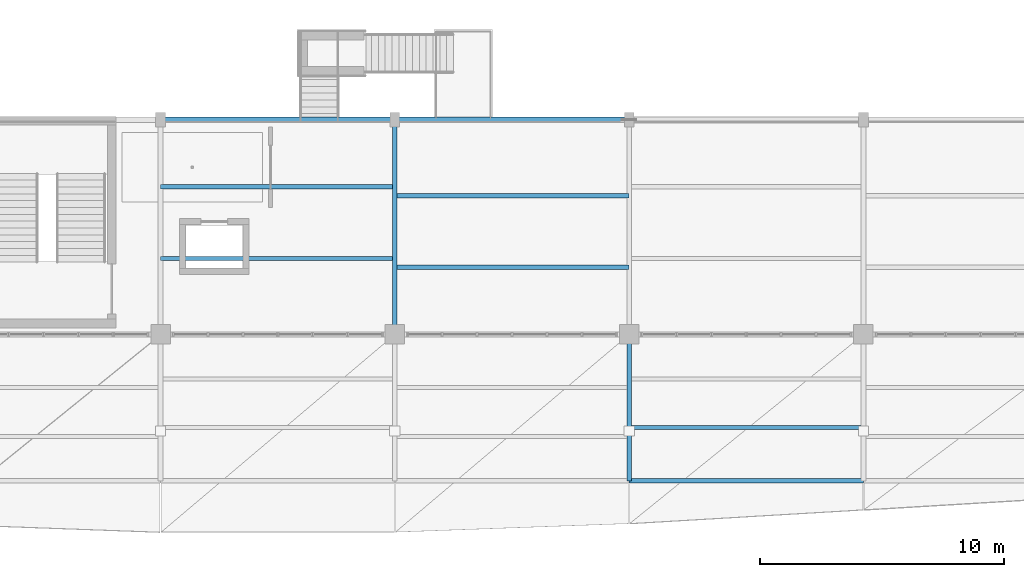
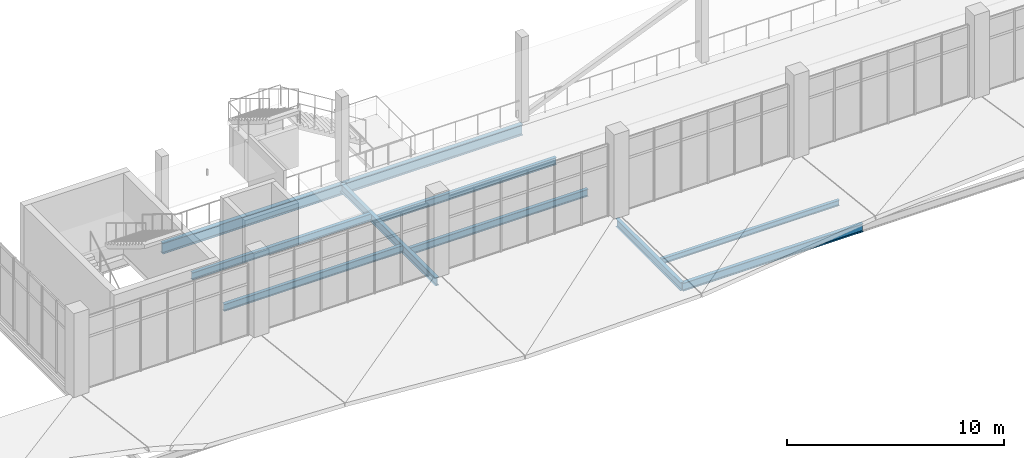
# One storey, part 48 of 157: 10 beams.
"""IFC4 building model written with IfcOpenShell, lengths in metres."""

from ifc_helpers import new_model, si_unit, direction, frame, origin, origin_2d, place, context, subcontext, project, spatial, i_section, extrude, material, material_profile, profile_set, type_object, element, save


model = new_model("IFC4")

# Units and contexts
model_context = context("Model", 3, precision=1e-05, world=origin(), true_north=direction((0.0, 1.0)))
body_context = subcontext(model_context, "Body", "Model", "MODEL_VIEW")
ifc_project = project(units=[si_unit("LENGTHUNIT", "METRE"), si_unit("AREAUNIT", "SQUARE_METRE"), si_unit("VOLUMEUNIT", "CUBIC_METRE"), si_unit("PLANEANGLEUNIT", "RADIAN"), si_unit("MASSUNIT", "GRAM", prefix="KILO")], contexts=[model_context])

# Site, building, storey
site_placement = place(None, origin())
site = spatial("IfcSite", under=ifc_project, at=site_placement, CompositionType="ELEMENT")
building_placement = place(site_placement, origin())
building = spatial("IfcBuilding", under=site, at=building_placement, Name="Chalmorin Arch Market", CompositionType="ELEMENT")
storey_placement = place(building_placement, frame((0.0, 0.0, 4.800048828125)))
storey = spatial("IfcBuildingStorey", under=building, at=storey_placement, Name="L01", CompositionType="ELEMENT", Elevation=4.800048828125)

# Beams
ifc_material = material(Name="Steel A992 Grade 50", Category="steel")
ifc_material_profile_1 = material_profile(ifc_material, i_section(OverallWidth=0.19091796875, OverallDepth=0.45703125, WebThickness=0.009033203125, FlangeThickness=0.014404296875, FilletRadius=0.02001953125, at=origin_2d()), Name="W18X50")
ifc_profile_set_1 = profile_set([ifc_material_profile_1], Name="Steel A992 Grade 50")
beam_type_1 = type_object("IfcBeamType", Name="FloorSteelBeam-W18X50", PredefinedType="BEAM", material=ifc_profile_set_1)
beam_1_placement = place(storey_placement, frame((76.800048828125, 0.0, -0.48046875), z_axis=(0.0, 1.0, 0.0), x_axis=(-1.0, 0.0, 0.0)))
element("IfcBeam", 1, at=beam_1_placement, inside=storey, type_object=beam_type_1, Name="BM-W18B-1041", PredefinedType="BEAM", context=body_context, shape_type="SweptSolid", body=[
    extrude(i_section(OverallWidth=0.19091796875, OverallDepth=0.45703125, WebThickness=0.009033203125, FlangeThickness=0.014404296875, FilletRadius=0.02001953125, at=origin_2d()), origin(), (0.0, 0.0, 1.0), 6.0),
])
ifc_material_profile_2 = material_profile(ifc_material, i_section(OverallWidth=0.193115234375, OverallDepth=0.466064453125, WebThickness=0.011474609375, FlangeThickness=0.01904296875, FilletRadius=0.02001953125, at=origin_2d()), Name="W18X65")
ifc_profile_set_2 = profile_set([ifc_material_profile_2], Name="Steel A992 Grade 50")
beam_type_2 = type_object("IfcBeamType", Name="FloorSteelBeam-W18X65", PredefinedType="BEAM", material=ifc_profile_set_2)
beam_2_placement = place(storey_placement, frame((67.199951171875, 6.0, -0.485107421875), z_axis=(0.0, 1.0, 0.0), x_axis=(-1.0, 0.0, 0.0)))
element("IfcBeam", 2, at=beam_2_placement, inside=storey, type_object=beam_type_2, Name="BM-W18A-0606", PredefinedType="BEAM", context=body_context, shape_type="SweptSolid", body=[
    extrude(i_section(OverallWidth=0.193115234375, OverallDepth=0.466064453125, WebThickness=0.011474609375, FlangeThickness=0.01904296875, FilletRadius=0.02001953125, at=origin_2d()), origin(), (0.0, 0.0, 1.0), 8.800048828125),
])
ifc_material_profile_3 = material_profile(ifc_material, i_section(OverallWidth=0.19091796875, OverallDepth=0.45703125, WebThickness=0.009033203125, FlangeThickness=0.014404296875, FilletRadius=0.02001953125, at=origin_2d()), Name="W18X50")
ifc_profile_set_3 = profile_set([ifc_material_profile_3], Name="Steel A992 Grade 50")
beam_type_3 = type_object("IfcBeamType", Name="PerimeterSpandrelBeam-W18X50", PredefinedType="SPANDREL", material=ifc_profile_set_3)
beam_3_placement = place(storey_placement, frame((76.800048828125, 0.0, -0.48046875), z_axis=(1.0, 0.0, 0.0), x_axis=(0.0, 1.0, 0.0)))
element("IfcBeam", 3, at=beam_3_placement, inside=storey, type_object=beam_type_3, Name="SP-W18-1042", PredefinedType="SPANDREL", context=body_context, shape_type="SweptSolid", body=[
    extrude(i_section(OverallWidth=0.19091796875, OverallDepth=0.45703125, WebThickness=0.009033203125, FlangeThickness=0.014404296875, FilletRadius=0.02001953125, at=origin_2d()), origin(), (0.0, 0.0, 1.0), 9.599853515625),
])
ifc_material_profile_4 = material_profile(ifc_material, i_section(OverallWidth=0.22802734375, OverallDepth=0.60791015625, WebThickness=0.01123046875, FlangeThickness=0.017333984375, FilletRadius=0.02392578125, at=origin_2d()), Name="W24X76")
ifc_profile_set_4 = profile_set([ifc_material_profile_4], Name="Steel A992 Grade 50")
beam_type_4 = type_object("IfcBeamType", Name="PrimarySteelGirder-W24X76", PredefinedType="BEAM", material=ifc_profile_set_4)
beam_4_placement = place(storey_placement, frame((57.60009765625, 14.800048828125, -0.55615234375), z_axis=(1.0, 0.0, 0.0), x_axis=(0.0, 1.0, 0.0)))
element("IfcBeam", 4, at=beam_4_placement, inside=storey, type_object=beam_type_4, Name="BG-W24B-0605", PredefinedType="BEAM", context=body_context, shape_type="SweptSolid", body=[
    extrude(i_section(OverallWidth=0.22802734375, OverallDepth=0.60791015625, WebThickness=0.01123046875, FlangeThickness=0.017333984375, FilletRadius=0.02392578125, at=origin_2d()), origin(), (0.0, 0.0, 1.0), 9.599853515625),
])
beam_5_placement = place(storey_placement, frame((67.199951171875, 14.800048828125, -0.55615234375), z_axis=(1.0, 0.0, 0.0), x_axis=(0.0, 1.0, 0.0)))
element("IfcBeam", 5, at=beam_5_placement, inside=storey, type_object=beam_type_4, Name="BG-W24B-0608", PredefinedType="BEAM", context=body_context, shape_type="SweptSolid", body=[
    extrude(i_section(OverallWidth=0.22802734375, OverallDepth=0.60791015625, WebThickness=0.01123046875, FlangeThickness=0.017333984375, FilletRadius=0.02392578125, at=origin_2d()), origin(), (0.0, 0.0, 1.0), 9.60009765625),
])
ifc_material_profile_5 = material_profile(ifc_material, i_section(OverallWidth=0.177978515625, OverallDepth=0.403076171875, WebThickness=0.007568359375, FlangeThickness=0.010986328125, FilletRadius=0.01806640625, at=origin_2d()), Name="W16X36")
ifc_profile_set_5 = profile_set([ifc_material_profile_5], Name="Steel A992 Grade 50")
beam_type_5 = type_object("IfcBeamType", Name="SecondaryFloorJoist-W16X36", PredefinedType="JOIST", material=ifc_profile_set_5)
for number, where, z_axis, x_axis, name in (
    (6, (57.60009765625, 9.11328125, -0.45361328125), (1.0, 0.0, 0.0), (0.0, 1.0, 0.0), "BJ-W16B-0625"),
    (7, (57.60009765625, 12.046630859375, -0.45361328125), (1.0, 0.0, 0.0), (0.0, 1.0, 0.0), "BJ-W16B-0626"),
):
    element("IfcBeam", number, at=place(storey_placement, frame(where, z_axis=z_axis, x_axis=x_axis)), inside=storey, type_object=beam_type_5, Name=name, PredefinedType="JOIST", context=body_context, shape_type="SweptSolid", body=[
        extrude(i_section(OverallWidth=0.177978515625, OverallDepth=0.403076171875, WebThickness=0.007568359375, FlangeThickness=0.010986328125, FilletRadius=0.01806640625, at=origin_2d()), origin(), (0.0, 0.0, 1.0), 9.599853515625),
    ])
for number, where, z_axis, x_axis, name in (
    (8, (67.199951171875, 8.75341796875, -0.45361328125), (1.0, 0.0, 0.0), (0.0, 1.0, 0.0), "BJ-W16B-0627"),
    (9, (67.199951171875, 11.686767578125, -0.45361328125), (1.0, 0.0, 0.0), (0.0, 1.0, 0.0), "BJ-W16B-0628"),
):
    element("IfcBeam", number, at=place(storey_placement, frame(where, z_axis=z_axis, x_axis=x_axis)), inside=storey, type_object=beam_type_5, Name=name, PredefinedType="JOIST", context=body_context, shape_type="SweptSolid", body=[
        extrude(i_section(OverallWidth=0.177978515625, OverallDepth=0.403076171875, WebThickness=0.007568359375, FlangeThickness=0.010986328125, FilletRadius=0.01806640625, at=origin_2d()), origin(), (0.0, 0.0, 1.0), 9.60009765625),
    ])
ifc_material_profile_6 = material_profile(ifc_material, i_section(OverallWidth=0.1650390625, OverallDepth=0.31005859375, WebThickness=0.005859375, FlangeThickness=0.009765625, FilletRadius=0.014892578125, at=origin_2d()), Name="W12X26")
ifc_profile_set_6 = profile_set([ifc_material_profile_6], Name="Steel A992 Grade 50")
beam_type_6 = type_object("IfcBeamType", Name="SecondaryRoofJoist-W12X26", PredefinedType="JOIST", material=ifc_profile_set_6)
beam_6_placement = place(storey_placement, frame((76.800048828125, 2.179931640625, -0.406982421875), z_axis=(1.0, 0.0, 0.0), x_axis=(0.0, 1.0, 0.0)))
element("IfcBeam", 10, at=beam_6_placement, inside=storey, type_object=beam_type_6, Name="BJ-W12-1068", PredefinedType="JOIST", context=body_context, shape_type="SweptSolid", body=[
    extrude(i_section(OverallWidth=0.1650390625, OverallDepth=0.31005859375, WebThickness=0.005859375, FlangeThickness=0.009765625, FilletRadius=0.014892578125, at=origin_2d()), origin(), (0.0, 0.0, 1.0), 9.599853515625),
])

save(model, "model.ifc")
